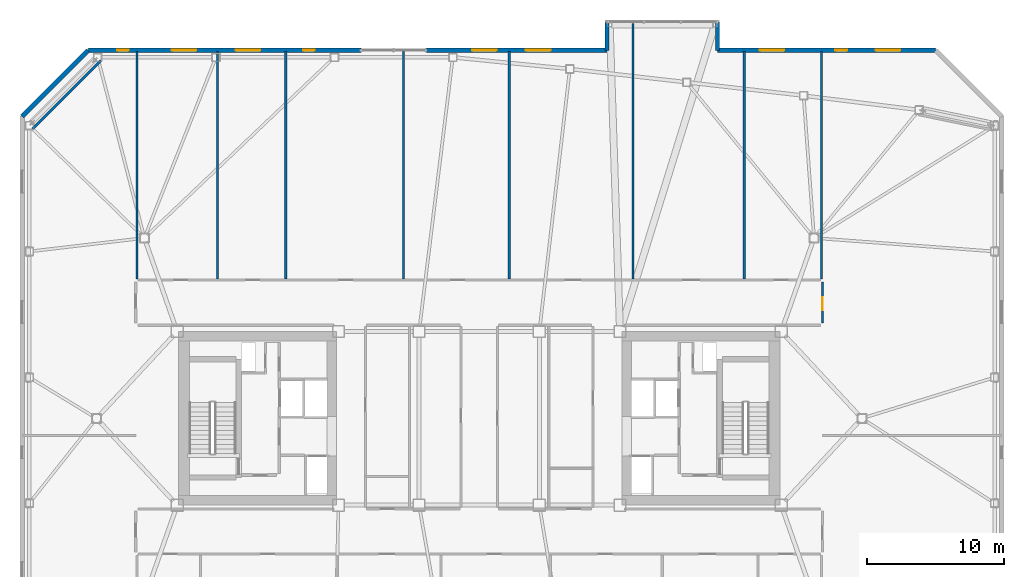
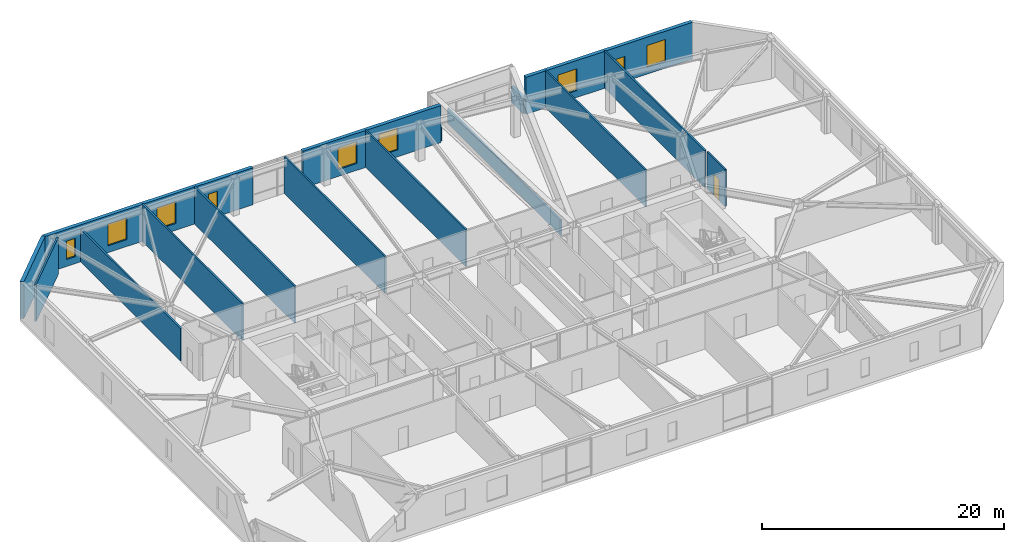
# One storey, part 15 of 20: 16 walls, 9 windows, 1 door, 10 openings.
"""IFC4 building model written with IfcOpenShell, lengths in metres."""

from ifc_helpers import new_model, si_unit, direction, frame, frame_2d, origin, place, context, subcontext, project, spatial, rectangle, extrude, material, layer, layer_set, type_object, element, fill, save


model = new_model("IFC4")

# Units and contexts
model_context = context("Model", 3, precision=1e-05, world=origin(), true_north=direction((0.0, 1.0)))
body_context = subcontext(model_context, "Body", "Model", "MODEL_VIEW")
ifc_project = project(units=[si_unit("LENGTHUNIT", "METRE"), si_unit("AREAUNIT", "SQUARE_METRE"), si_unit("VOLUMEUNIT", "CUBIC_METRE"), si_unit("PLANEANGLEUNIT", "RADIAN"), si_unit("MASSUNIT", "GRAM", prefix="KILO")], contexts=[model_context])

# Site, building, storey
site_placement = place(None, origin())
site = spatial("IfcSite", under=ifc_project, at=site_placement, CompositionType="ELEMENT")
building_placement = place(site_placement, origin())
building = spatial("IfcBuilding", under=site, at=building_placement, Name="Tavrogorsk Clinical Tower", CompositionType="ELEMENT")
storey_placement = place(building_placement, frame((0.0, 0.0, 176.199951171875)))
storey = spatial("IfcBuildingStorey", under=building, at=storey_placement, Name="L40", CompositionType="ELEMENT", Elevation=176.199951171875)

# Wall
ifc_material_1 = material(Name="Lightweight concrete blockwork B15", Category="masonry")
ifc_layer_1 = layer(ifc_material_1, 0.159912109375)
ifc_layer_set_1 = layer_set([ifc_layer_1], Name="Lightweight concrete blockwork B15")
wall_type_1 = type_object("IfcWallType", Name="PartitionWall_160", PredefinedType="PARTITIONING", material=ifc_layer_set_1)
wall_1_placement = place(storey_placement, frame((-27.6796875, 26.1796875, 0.0), z_axis=(0.0, 0.0, 1.0), x_axis=(-0.707106781187, -0.707106781187, 0.0)))
element("IfcWall", 1, at=wall_1_placement, inside=storey, type_object=wall_type_1, Name="L40 Corner Exoskeleton Brace Furring Wall 3", PredefinedType="PARTITIONING", context=body_context, shape_type="SweptSolid", body=[
    extrude(rectangle(XDim=7.071044921875, YDim=0.159912109375, at=frame_2d((3.53564453125, 0.0))), origin(), (0.0, 0.0, 1.0), 3.739990234375),
])

# Wall, opening, door
wall_2_placement = place(storey_placement, frame((25.1298828125, 9.965087890625, 0.0), z_axis=(0.0, 0.0, 1.0), x_axis=(0.0, -1.0, 0.0)))
wall_2 = element("IfcWall", 2, at=wall_2_placement, inside=storey, type_object=wall_type_1, Name="L40 Corridor Partition 06", PredefinedType="PARTITIONING", context=body_context, shape_type="SweptSolid", body=[
    extrude(rectangle(XDim=2.97998046875, YDim=0.159912109375, at=frame_2d((1.489990234375, 0.0))), origin(), (0.0, 0.0, 1.0), 3.739990234375),
])
opening_1_placement = place(wall_2_placement, frame((1.10009765625, 0.0, 0.0)))
opening_1 = element("IfcOpeningElement", 3, at=opening_1_placement, cuts=wall_2, Name="Opening ID-02", PredefinedType="OPENING", context=body_context, shape_type="SweptSolid", body=[
    extrude(rectangle(XDim=0.949951171875, YDim=2.199951171875, at=frame_2d((0.47509765625, 1.10009765625))), frame((0.0, 0.08984375, 0.0), z_axis=(0.0, -1.0, 0.0), x_axis=(1.0, 0.0, 0.0)), (0.0, 0.0, 1.0), 0.179931640625),
])
ifc_material_2 = material(Name="Laminated timber leaf on aluminium frame", Category="wood")
door_type = type_object("IfcDoorType", Name="InteriorDoor_ID02_950", OperationType="NOTDEFINED", PredefinedType="DOOR", material=ifc_material_2)
door_placement = place(opening_1_placement, origin())
door = element("IfcDoor", 4, at=door_placement, inside=storey, type_object=door_type, Name="L40 E Multidisciplinary Seminar Suite 2 Door", OperationType="SINGLE_SWING_RIGHT", OverallHeight=2.199951171875, OverallWidth=0.949951171875, PredefinedType="DOOR", context=body_context, shape_type="SweptSolid", body=[
    extrude(rectangle(XDim=0.949951171875, YDim=2.199951171875, at=frame_2d((0.47509765625, 1.10009765625))), frame((0.0, 0.02490234375, 0.0), z_axis=(0.0, -1.0, 0.0), x_axis=(1.0, 0.0, 0.0)), (0.0, 0.0, 1.0), 0.050048828125),
])
fill(opening_1, door)

# Walls
wall_3_placement = place(storey_placement, frame((-25.050048828125, 10.215087890625, 0.0), z_axis=(0.0, 0.0, 1.0), x_axis=(0.0, 1.0, 0.0)))
element("IfcWall", 5, at=wall_3_placement, inside=storey, type_object=wall_type_1, Name="L40 NW Wing Closure Partition", PredefinedType="PARTITIONING", context=body_context, shape_type="SweptSolid", body=[
    extrude(rectangle(XDim=16.64501953125, YDim=0.159912109375, at=frame_2d((8.322509765625, 0.0))), origin(), (0.0, 0.0, 1.0), 3.28515625),
])
for number, where, z_axis, x_axis, name in (
    (6, (25.050048828125, 10.215087890625, 0.0), (0.0, 0.0, 1.0), (0.0, 1.0, 0.0), "L40 NE Wing Closure Partition"),
    (7, (-14.159912109375, 10.215087890625, 0.0), (0.0, 0.0, 1.0), (0.0, 1.0, 0.0), "L40 North Room Partition 1"),
    (8, (2.199951171875, 10.215087890625, 0.0), (0.0, 0.0, 1.0), (0.0, 1.0, 0.0), "L40 North Room Partition 2"),
    (9, (19.39990234375, 10.215087890625, 0.0), (0.0, 0.0, 1.0), (0.0, 1.0, 0.0), "L40 North Room Partition 3"),
    (10, (-19.155029296875, 10.215087890625, 0.0), (0.0, 0.0, 1.0), (0.0, 1.0, 0.0), "L40 North Sub-Partition 1"),
    (11, (-5.530029296875, 10.215087890625, 0.0), (0.0, 0.0, 1.0), (0.0, 1.0, 0.0), "L40 North Sub-Partition 2"),
):
    element("IfcWall", number, at=place(storey_placement, frame(where, z_axis=z_axis, x_axis=x_axis)), inside=storey, type_object=wall_type_1, Name=name, PredefinedType="PARTITIONING", context=body_context, shape_type="SweptSolid", body=[
        extrude(rectangle(XDim=16.64501953125, YDim=0.159912109375, at=frame_2d((8.322509765625, 0.0))), origin(), (0.0, 0.0, 1.0), 3.739990234375),
    ])
wall_4_placement = place(storey_placement, frame((11.25, 10.215087890625, 0.0), z_axis=(0.0, 0.0, 1.0), x_axis=(0.0, 1.0, 0.0)))
element("IfcWall", 12, at=wall_4_placement, inside=storey, type_object=wall_type_1, Name="L40 North Sub-Partition 3", PredefinedType="PARTITIONING", context=body_context, shape_type="SweptSolid", body=[
    extrude(rectangle(XDim=18.69482421875, YDim=0.159912109375, at=frame_2d((9.347412109375, 0.0))), origin(), (0.0, 0.0, 1.0), 1.53515625),
])

# Wall, openings, windows
ifc_material_3 = material(Name="Precast concrete B45 with limestone cladding", Category="masonry")
ifc_layer_2 = layer(ifc_material_3, 0.340087890625)
ifc_layer_set_2 = layer_set([ifc_layer_2], Name="Precast concrete B45 with limestone cladding")
wall_type_2 = type_object("IfcWallType", Name="PrecastLimestoneWall_340", PredefinedType="STANDARD", material=ifc_layer_set_2)
wall_5_placement = place(storey_placement, frame((33.39990234375, 26.929931640625, 0.0), z_axis=(0.0, 0.0, 1.0), x_axis=(-1.0, 0.0, 0.0)))
wall_5 = element("IfcWall", 13, at=wall_5_placement, inside=storey, type_object=wall_type_2, Name="L40 N Limestone Facade Wall 1", PredefinedType="STANDARD", context=body_context, shape_type="SweptSolid", body=[
    extrude(rectangle(XDim=15.949951171875, YDim=0.340087890625, at=frame_2d((7.97509765625, 0.0))), origin(), (0.0, 0.0, 1.0), 3.739990234375),
])
opening_2_placement = place(wall_5_placement, frame((11.0712890625, 0.0, 0.699951171875)))
opening_2 = element("IfcOpeningElement", 14, at=opening_2_placement, cuts=wall_5, Name="Opening WN-04", PredefinedType="OPENING", context=body_context, shape_type="SweptSolid", body=[
    extrude(rectangle(XDim=1.800048828125, YDim=2.199951171875, at=frame_2d((0.89990234375, 1.10009765625))), frame((0.0, 0.179931640625, 0.0), z_axis=(0.0, -1.0, 0.0), x_axis=(1.0, 0.0, 0.0)), (0.0, 0.0, 1.0), 0.360107421875),
])
opening_3_placement = place(wall_5_placement, frame((6.479736328125, 0.0, 0.699951171875)))
opening_3 = element("IfcOpeningElement", 15, at=opening_3_placement, cuts=wall_5, Name="Opening WN-06", PredefinedType="OPENING", context=body_context, shape_type="SweptSolid", body=[
    extrude(rectangle(XDim=0.85009765625, YDim=1.85009765625, at=frame_2d((0.425048828125, 0.925048828125))), frame((0.0, 0.179931640625, 0.0), z_axis=(0.0, -1.0, 0.0), x_axis=(1.0, 0.0, 0.0)), (0.0, 0.0, 1.0), 0.360107421875),
])
opening_4_placement = place(wall_5_placement, frame((2.591064453125, 0.0, 0.699951171875)))
opening_4 = element("IfcOpeningElement", 16, at=opening_4_placement, cuts=wall_5, Name="Opening WN-04", PredefinedType="OPENING", context=body_context, shape_type="SweptSolid", body=[
    extrude(rectangle(XDim=1.800048828125, YDim=2.199951171875, at=frame_2d((0.89990234375, 1.10009765625))), frame((0.0, 0.179931640625, 0.0), z_axis=(0.0, -1.0, 0.0), x_axis=(1.0, 0.0, 0.0)), (0.0, 0.0, 1.0), 0.360107421875),
])
ifc_material_4 = material(Name="Thermally broken aluminium frame and triple IGU", Category="aluminium")
window_type_1 = type_object("IfcWindowType", Name="IsolationWin_1800x2200", PartitioningType="SINGLE_PANEL", PredefinedType="WINDOW", material=ifc_material_4)
window_1_placement = place(opening_2_placement, origin())
window_1 = element("IfcWindow", 17, at=window_1_placement, inside=storey, type_object=window_type_1, Name="L40 N Chicago Window 08", OverallHeight=2.199951171875, OverallWidth=1.800048828125, PartitioningType="SINGLE_PANEL", PredefinedType="WINDOW", context=body_context, shape_type="SweptSolid", body=[
    extrude(rectangle(XDim=1.800048828125, YDim=2.199951171875, at=frame_2d((0.89990234375, 1.10009765625))), frame((0.0, 0.030029296875, 0.0), z_axis=(0.0, -1.0, 0.0), x_axis=(1.0, 0.0, 0.0)), (0.0, 0.0, 1.0), 0.06005859375),
])
fill(opening_2, window_1)
window_2_placement = place(opening_4_placement, origin())
window_2 = element("IfcWindow", 18, at=window_2_placement, inside=storey, type_object=window_type_1, Name="L40 N Chicago Window 10", OverallHeight=2.199951171875, OverallWidth=1.800048828125, PartitioningType="SINGLE_PANEL", PredefinedType="WINDOW", context=body_context, shape_type="SweptSolid", body=[
    extrude(rectangle(XDim=1.800048828125, YDim=2.199951171875, at=frame_2d((0.89990234375, 1.10009765625))), frame((0.0, 0.030029296875, 0.0), z_axis=(0.0, -1.0, 0.0), x_axis=(1.0, 0.0, 0.0)), (0.0, 0.0, 1.0), 0.06005859375),
])
fill(opening_4, window_2)
ifc_material_5 = material(Name="Thermally broken aluminium frame and triple IGU", Category="aluminium")
window_type_2 = type_object("IfcWindowType", Name="MullionSubWin_850x1850", PartitioningType="SINGLE_PANEL", PredefinedType="WINDOW", material=ifc_material_5)
window_3_placement = place(opening_3_placement, origin())
window_3 = element("IfcWindow", 19, at=window_3_placement, inside=storey, type_object=window_type_2, Name="L40 N Mullion Split Window 09A", OverallHeight=1.85009765625, OverallWidth=0.85009765625, PartitioningType="SINGLE_PANEL", PredefinedType="WINDOW", context=body_context, shape_type="SweptSolid", body=[
    extrude(rectangle(XDim=0.85009765625, YDim=1.85009765625, at=frame_2d((0.425048828125, 0.925048828125))), frame((0.0, 0.030029296875, 0.0), z_axis=(0.0, -1.0, 0.0), x_axis=(1.0, 0.0, 0.0)), (0.0, 0.0, 1.0), 0.06005859375),
])
fill(opening_3, window_3)

wall_6_placement = place(storey_placement, frame((9.35009765625, 26.929931640625, 0.0), z_axis=(0.0, 0.0, 1.0), x_axis=(-1.0, 0.0, 0.0)))
wall_6 = element("IfcWall", 20, at=wall_6_placement, inside=storey, type_object=wall_type_2, Name="L40 N Limestone Facade Wall 2", PredefinedType="STANDARD", context=body_context, shape_type="SweptSolid", body=[
    extrude(rectangle(XDim=13.212890625, YDim=0.340087890625, at=frame_2d((6.6064453125, 0.0))), origin(), (0.0, 0.0, 1.0), 3.739990234375),
])
opening_5_placement = place(wall_6_placement, frame((8.068603515625, 0.0, 0.699951171875)))
opening_5 = element("IfcOpeningElement", 21, at=opening_5_placement, cuts=wall_6, Name="Opening WN-04", PredefinedType="OPENING", context=body_context, shape_type="SweptSolid", body=[
    extrude(rectangle(XDim=1.800048828125, YDim=2.199951171875, at=frame_2d((0.89990234375, 1.10009765625))), frame((0.0, 0.179931640625, 0.0), z_axis=(0.0, -1.0, 0.0), x_axis=(1.0, 0.0, 0.0)), (0.0, 0.0, 1.0), 0.360107421875),
])
opening_6_placement = place(wall_6_placement, frame((4.12841796875, 0.0, 0.699951171875)))
opening_6 = element("IfcOpeningElement", 22, at=opening_6_placement, cuts=wall_6, Name="Opening WN-04", PredefinedType="OPENING", context=body_context, shape_type="SweptSolid", body=[
    extrude(rectangle(XDim=1.800048828125, YDim=2.199951171875, at=frame_2d((0.89990234375, 1.10009765625))), frame((0.0, 0.179931640625, 0.0), z_axis=(0.0, -1.0, 0.0), x_axis=(1.0, 0.0, 0.0)), (0.0, 0.0, 1.0), 0.360107421875),
])
window_4_placement = place(opening_5_placement, origin())
window_4 = element("IfcWindow", 23, at=window_4_placement, inside=storey, type_object=window_type_1, Name="L40 N Chicago Window 05", OverallHeight=2.199951171875, OverallWidth=1.800048828125, PartitioningType="SINGLE_PANEL", PredefinedType="WINDOW", context=body_context, shape_type="SweptSolid", body=[
    extrude(rectangle(XDim=1.800048828125, YDim=2.199951171875, at=frame_2d((0.89990234375, 1.10009765625))), frame((0.0, 0.030029296875, 0.0), z_axis=(0.0, -1.0, 0.0), x_axis=(1.0, 0.0, 0.0)), (0.0, 0.0, 1.0), 0.06005859375),
])
fill(opening_5, window_4)
window_5_placement = place(opening_6_placement, origin())
window_5 = element("IfcWindow", 24, at=window_5_placement, inside=storey, type_object=window_type_1, Name="L40 N Chicago Window 06", OverallHeight=2.199951171875, OverallWidth=1.800048828125, PartitioningType="SINGLE_PANEL", PredefinedType="WINDOW", context=body_context, shape_type="SweptSolid", body=[
    extrude(rectangle(XDim=1.800048828125, YDim=2.199951171875, at=frame_2d((0.89990234375, 1.10009765625))), frame((0.0, 0.030029296875, 0.0), z_axis=(0.0, -1.0, 0.0), x_axis=(1.0, 0.0, 0.0)), (0.0, 0.0, 1.0), 0.06005859375),
])
fill(opening_6, window_5)

wall_7_placement = place(storey_placement, frame((-8.662841796875, 26.929931640625, 0.0), z_axis=(0.0, 0.0, 1.0), x_axis=(-1.0, 0.0, 0.0)))
wall_7 = element("IfcWall", 25, at=wall_7_placement, inside=storey, type_object=wall_type_2, Name="L40 N Limestone Facade Wall 3", PredefinedType="STANDARD", context=body_context, shape_type="SweptSolid", body=[
    extrude(rectangle(XDim=19.937255859375, YDim=0.340087890625, at=frame_2d((9.96875, 0.0))), origin(), (0.0, 0.0, 1.0), 3.739990234375),
])
opening_7_placement = place(wall_7_placement, frame((16.96826171875, 0.0, 0.699951171875)))
opening_7 = element("IfcOpeningElement", 26, at=opening_7_placement, cuts=wall_7, Name="Opening WN-06", PredefinedType="OPENING", context=body_context, shape_type="SweptSolid", body=[
    extrude(rectangle(XDim=0.85009765625, YDim=1.85009765625, at=frame_2d((0.425048828125, 0.925048828125))), frame((0.0, 0.179931640625, 0.0), z_axis=(0.0, -1.0, 0.0), x_axis=(1.0, 0.0, 0.0)), (0.0, 0.0, 1.0), 0.360107421875),
])
opening_8_placement = place(wall_7_placement, frame((12.033203125, 0.0, 0.699951171875)))
opening_8 = element("IfcOpeningElement", 27, at=opening_8_placement, cuts=wall_7, Name="Opening WN-04", PredefinedType="OPENING", context=body_context, shape_type="SweptSolid", body=[
    extrude(rectangle(XDim=1.800048828125, YDim=2.199951171875, at=frame_2d((0.89990234375, 1.10009765625))), frame((0.0, 0.179931640625, 0.0), z_axis=(0.0, -1.0, 0.0), x_axis=(1.0, 0.0, 0.0)), (0.0, 0.0, 1.0), 0.360107421875),
])
opening_9_placement = place(wall_7_placement, frame((7.355224609375, 0.0, 0.699951171875)))
opening_9 = element("IfcOpeningElement", 28, at=opening_9_placement, cuts=wall_7, Name="Opening WN-04", PredefinedType="OPENING", context=body_context, shape_type="SweptSolid", body=[
    extrude(rectangle(XDim=1.800048828125, YDim=2.199951171875, at=frame_2d((0.89990234375, 1.10009765625))), frame((0.0, 0.179931640625, 0.0), z_axis=(0.0, -1.0, 0.0), x_axis=(1.0, 0.0, 0.0)), (0.0, 0.0, 1.0), 0.360107421875),
])
opening_10_placement = place(wall_7_placement, frame((3.37060546875, 0.0, 0.699951171875)))
opening_10 = element("IfcOpeningElement", 29, at=opening_10_placement, cuts=wall_7, Name="Opening WN-06", PredefinedType="OPENING", context=body_context, shape_type="SweptSolid", body=[
    extrude(rectangle(XDim=0.85009765625, YDim=1.85009765625, at=frame_2d((0.425048828125, 0.925048828125))), frame((0.0, 0.179931640625, 0.0), z_axis=(0.0, -1.0, 0.0), x_axis=(1.0, 0.0, 0.0)), (0.0, 0.0, 1.0), 0.360107421875),
])
window_6_placement = place(opening_8_placement, origin())
window_6 = element("IfcWindow", 30, at=window_6_placement, inside=storey, type_object=window_type_1, Name="L40 N Chicago Window 02", OverallHeight=2.199951171875, OverallWidth=1.800048828125, PartitioningType="SINGLE_PANEL", PredefinedType="WINDOW", context=body_context, shape_type="SweptSolid", body=[
    extrude(rectangle(XDim=1.800048828125, YDim=2.199951171875, at=frame_2d((0.89990234375, 1.10009765625))), frame((0.0, 0.030029296875, 0.0), z_axis=(0.0, -1.0, 0.0), x_axis=(1.0, 0.0, 0.0)), (0.0, 0.0, 1.0), 0.06005859375),
])
fill(opening_8, window_6)
window_7_placement = place(opening_9_placement, origin())
window_7 = element("IfcWindow", 31, at=window_7_placement, inside=storey, type_object=window_type_1, Name="L40 N Chicago Window 03", OverallHeight=2.199951171875, OverallWidth=1.800048828125, PartitioningType="SINGLE_PANEL", PredefinedType="WINDOW", context=body_context, shape_type="SweptSolid", body=[
    extrude(rectangle(XDim=1.800048828125, YDim=2.199951171875, at=frame_2d((0.89990234375, 1.10009765625))), frame((0.0, 0.030029296875, 0.0), z_axis=(0.0, -1.0, 0.0), x_axis=(1.0, 0.0, 0.0)), (0.0, 0.0, 1.0), 0.06005859375),
])
fill(opening_9, window_7)
window_8_placement = place(opening_7_placement, origin())
window_8 = element("IfcWindow", 32, at=window_8_placement, inside=storey, type_object=window_type_2, Name="L40 N Mullion Split Window 01B", OverallHeight=1.85009765625, OverallWidth=0.85009765625, PartitioningType="SINGLE_PANEL", PredefinedType="WINDOW", context=body_context, shape_type="SweptSolid", body=[
    extrude(rectangle(XDim=0.85009765625, YDim=1.85009765625, at=frame_2d((0.425048828125, 0.925048828125))), frame((0.0, 0.030029296875, 0.0), z_axis=(0.0, -1.0, 0.0), x_axis=(1.0, 0.0, 0.0)), (0.0, 0.0, 1.0), 0.06005859375),
])
fill(opening_7, window_8)
window_9_placement = place(opening_10_placement, origin())
window_9 = element("IfcWindow", 33, at=window_9_placement, inside=storey, type_object=window_type_2, Name="L40 N Mullion Split Window 04A", OverallHeight=1.85009765625, OverallWidth=0.85009765625, PartitioningType="SINGLE_PANEL", PredefinedType="WINDOW", context=body_context, shape_type="SweptSolid", body=[
    extrude(rectangle(XDim=0.85009765625, YDim=1.85009765625, at=frame_2d((0.425048828125, 0.925048828125))), frame((0.0, 0.030029296875, 0.0), z_axis=(0.0, -1.0, 0.0), x_axis=(1.0, 0.0, 0.0)), (0.0, 0.0, 1.0), 0.06005859375),
])
fill(opening_10, window_9)

# Walls
wall_8_placement = place(storey_placement, frame((-28.60009765625, 26.929931640625, 0.0), z_axis=(0.0, 0.0, 1.0), x_axis=(-0.707106781187, -0.707106781187, 0.0)))
element("IfcWall", 34, at=wall_8_placement, inside=storey, type_object=wall_type_2, Name="L40 Chamfered Corner Wall 3", PredefinedType="STANDARD", context=body_context, shape_type="SweptSolid", body=[
    extrude(rectangle(XDim=6.830322265625, YDim=0.340087890625, at=frame_2d((3.4150390625, 0.0))), origin(), (0.0, 0.0, 1.0), 3.739990234375),
])
ifc_material_6 = material(Name="Precast concrete B45 with mineral wool", Category="concrete")
ifc_layer_3 = layer(ifc_material_6, 0.300048828125)
ifc_layer_set_3 = layer_set([ifc_layer_3], Name="Precast concrete B45 with mineral wool")
wall_type_3 = type_object("IfcWallType", Name="SpandrelBackWall_300", PredefinedType="STANDARD", material=ifc_layer_set_3)
for number, where, z_axis, x_axis, name in (
    (35, (9.35009765625, 26.929931640625, 0.0), (0.0, 0.0, 1.0), (0.0, 1.0, 0.0), "L40 Day-Room Cheek Wall DRB-06-L"),
    (36, (17.449951171875, 26.929931640625, 0.0), (0.0, 0.0, 1.0), (0.0, 1.0, 0.0), "L40 Day-Room Cheek Wall DRB-06-R"),
):
    element("IfcWall", number, at=place(storey_placement, frame(where, z_axis=z_axis, x_axis=x_axis)), inside=storey, type_object=wall_type_3, Name=name, PredefinedType="STANDARD", context=body_context, shape_type="SweptSolid", body=[
        extrude(rectangle(XDim=2.070068359375, YDim=0.300048828125, at=frame_2d((1.03515625, 0.0))), origin(), (0.0, 0.0, 1.0), 1.53515625),
    ])

save(model, "model.ifc")
